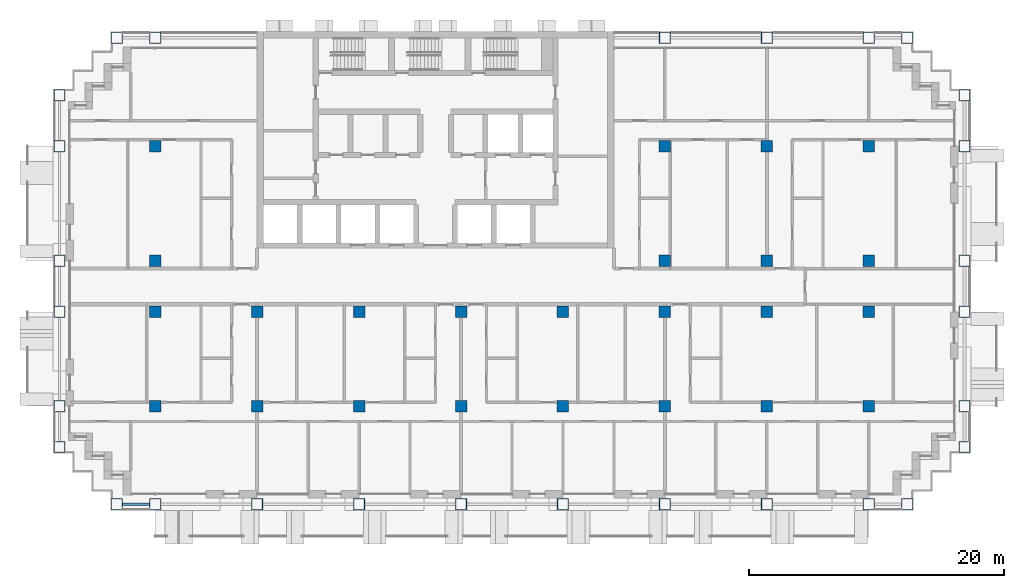
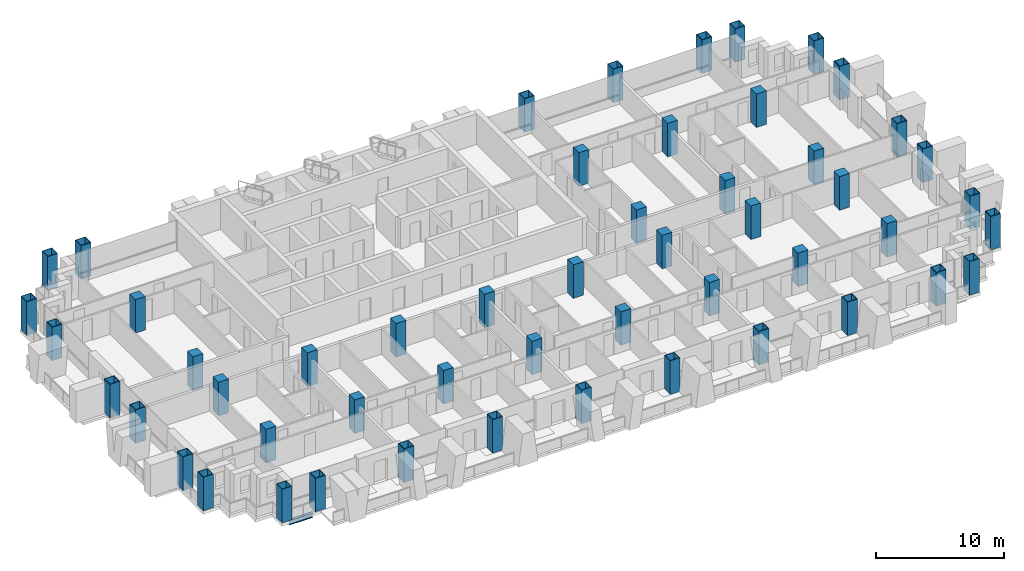
# One storey, part 1 of 18: 52 columns, 1 beam.
"""IFC4 building model written with IfcOpenShell, lengths in metres."""

from ifc_helpers import new_model, si_unit, direction, frame, origin, origin_2d, place, context, subcontext, project, spatial, rectangle, hollow_rectangle, i_section, extrude, material, material_profile, profile_set, type_object, element, save


model = new_model("IFC4")

# Units and contexts
model_context = context("Model", 3, precision=1e-05, world=origin(), true_north=direction((0.0, 1.0)))
body_context = subcontext(model_context, "Body", "Model", "MODEL_VIEW")
ifc_project = project(units=[si_unit("LENGTHUNIT", "METRE"), si_unit("AREAUNIT", "SQUARE_METRE"), si_unit("VOLUMEUNIT", "CUBIC_METRE"), si_unit("PLANEANGLEUNIT", "RADIAN"), si_unit("MASSUNIT", "GRAM", prefix="KILO")], contexts=[model_context])

# Site, building, storey
site_placement = place(None, origin())
site = spatial("IfcSite", under=ifc_project, at=site_placement, CompositionType="ELEMENT")
building_placement = place(site_placement, origin())
building = spatial("IfcBuilding", under=site, at=building_placement, Name="Vidyagriha Tower", CompositionType="ELEMENT")
storey_placement = place(building_placement, frame((0.0, 0.0, 90.300048828125)))
storey = spatial("IfcBuildingStorey", under=building, at=storey_placement, Name="L23", CompositionType="ELEMENT", Elevation=90.300048828125)

# Columns
ifc_material_1 = material(Name="Steel ASTM A572 Grade 50", Category="steel")
ifc_material_profile_1 = material_profile(ifc_material_1, hollow_rectangle(XDim=0.89990234375, YDim=0.89990234375, WallThickness=0.044921875, at=origin_2d()), Name="BOX 900x900x45")
ifc_profile_set_1 = profile_set([ifc_material_profile_1], Name="Steel ASTM A572 Grade 50")
column_type_1 = type_object("IfcColumnType", Name="Exoskeleton column BOX 900x900x45", PredefinedType="COLUMN", material=ifc_profile_set_1)
for number, where, name in (
    (1, (-25.0, -17.10009765625, 0.0), "st-col-L23-B2-001"),
    (2, (-22.0, -17.10009765625, 0.0), "st-col-L23-B2-002"),
    (3, (-14.0, -17.10009765625, 0.0), "st-col-L23-B2-003"),
    (4, (-6.0, -17.10009765625, 0.0), "st-col-L23-B2-004"),
    (5, (2.0, -17.10009765625, 0.0), "st-col-L23-B2-005"),
    (6, (10.0, -17.10009765625, 0.0), "st-col-L23-B2-006"),
    (7, (18.0, -17.10009765625, 0.0), "st-col-L23-B2-007"),
    (8, (26.0, -17.10009765625, 0.0), "st-col-L23-B2-008"),
    (9, (34.0, -17.10009765625, 0.0), "st-col-L23-B2-009"),
    (10, (37.0, -17.10009765625, 0.0), "st-col-L23-B2-010"),
    (11, (-29.5, -12.60009765625, 0.0), "st-col-L23-B2-011"),
    (12, (41.5, -12.60009765625, 0.0), "st-col-L23-B2-012"),
    (13, (-29.5, -9.39990234375, 0.0), "st-col-L23-B2-013"),
    (14, (41.5, -9.39990234375, 0.0), "st-col-L23-B2-022"),
    (15, (-29.5, -2.0, 0.0), "st-col-L23-B2-023"),
    (16, (41.5, -2.0, 0.0), "st-col-L23-B2-032"),
    (17, (-29.5, 2.0, 0.0), "st-col-L23-B2-033"),
    (18, (41.5, 2.0, 0.0), "st-col-L23-B2-038"),
    (19, (-29.5, 11.0, 0.0), "st-col-L23-B2-039"),
    (20, (41.5, 11.0, 0.0), "st-col-L23-B2-044"),
    (21, (-29.5, 15.0, 0.0), "st-col-L23-B2-045"),
    (22, (41.5, 15.0, 0.0), "st-col-L23-B2-046"),
    (23, (-25.0, 19.5, 0.0), "st-col-L23-B2-047"),
    (24, (-22.0, 19.5, 0.0), "st-col-L23-B2-048"),
    (25, (18.0, 19.5, 0.0), "st-col-L23-B2-049"),
    (26, (26.0, 19.5, 0.0), "st-col-L23-B2-050"),
    (27, (34.0, 19.5, 0.0), "st-col-L23-B2-051"),
    (28, (37.0, 19.5, 0.0), "st-col-L23-B2-052"),
):
    element("IfcColumn", number, at=place(storey_placement, frame(where)), inside=storey, type_object=column_type_1, Name=name, PredefinedType="COLUMN", context=body_context, shape_type="SweptSolid", body=[
        extrude(hollow_rectangle(XDim=0.89990234375, YDim=0.89990234375, WallThickness=0.044921875, at=origin_2d()), origin(), (0.0, 0.0, 1.0), 3.199951171875),
    ])
ifc_material_2 = material(Name="Concrete C80/95", Category="concrete")
ifc_material_profile_2 = material_profile(ifc_material_2, rectangle(XDim=0.89990234375, YDim=0.89990234375, at=origin_2d()), Name="RC 900x900")
ifc_profile_set_2 = profile_set([ifc_material_profile_2], Name="Concrete C80/95")
column_type_2 = type_object("IfcColumnType", Name="Frame column RC 900x900", PredefinedType="COLUMN", material=ifc_profile_set_2)
for number, where, name in (
    (29, (-22.0, -9.39990234375, 0.0), "st-col-L23-B2-014"),
    (30, (-14.0, -9.39990234375, 0.0), "st-col-L23-B2-015"),
    (31, (-6.0, -9.39990234375, 0.0), "st-col-L23-B2-016"),
    (32, (2.0, -9.39990234375, 0.0), "st-col-L23-B2-017"),
    (33, (10.0, -9.39990234375, 0.0), "st-col-L23-B2-018"),
    (34, (18.0, -9.39990234375, 0.0), "st-col-L23-B2-019"),
    (35, (26.0, -9.39990234375, 0.0), "st-col-L23-B2-020"),
    (36, (34.0, -9.39990234375, 0.0), "st-col-L23-B2-021"),
    (37, (-22.0, -2.0, 0.0), "st-col-L23-B2-024"),
    (38, (-14.0, -2.0, 0.0), "st-col-L23-B2-025"),
    (39, (-6.0, -2.0, 0.0), "st-col-L23-B2-026"),
    (40, (2.0, -2.0, 0.0), "st-col-L23-B2-027"),
    (41, (10.0, -2.0, 0.0), "st-col-L23-B2-028"),
    (42, (18.0, -2.0, 0.0), "st-col-L23-B2-029"),
    (43, (26.0, -2.0, 0.0), "st-col-L23-B2-030"),
    (44, (34.0, -2.0, 0.0), "st-col-L23-B2-031"),
    (45, (-22.0, 2.0, 0.0), "st-col-L23-B2-034"),
    (46, (18.0, 2.0, 0.0), "st-col-L23-B2-035"),
    (47, (26.0, 2.0, 0.0), "st-col-L23-B2-036"),
    (48, (34.0, 2.0, 0.0), "st-col-L23-B2-037"),
    (49, (-22.0, 11.0, 0.0), "st-col-L23-B2-040"),
    (50, (18.0, 11.0, 0.0), "st-col-L23-B2-041"),
    (51, (26.0, 11.0, 0.0), "st-col-L23-B2-042"),
    (52, (34.0, 11.0, 0.0), "st-col-L23-B2-043"),
):
    element("IfcColumn", number, at=place(storey_placement, frame(where)), inside=storey, type_object=column_type_2, Name=name, PredefinedType="COLUMN", context=body_context, shape_type="SweptSolid", body=[
        extrude(rectangle(XDim=0.89990234375, YDim=0.89990234375, at=origin_2d()), origin(), (0.0, 0.0, 1.0), 3.199951171875),
    ])

# Beam
ifc_material_3 = material(Name="Steel ASTM A992 Grade 50", Category="steel")
ifc_material_profile_3 = material_profile(ifc_material_3, i_section(OverallWidth=0.19189453125, OverallDepth=0.46240234375, WebThickness=0.010498046875, FlangeThickness=0.017578125, at=origin_2d()), Name="W18X60")
ifc_profile_set_3 = profile_set([ifc_material_profile_3], Name="Steel ASTM A992 Grade 50")
beam_type = type_object("IfcBeamType", Name="Edge beam W18X60", PredefinedType="SPANDREL", material=ifc_profile_set_3)
beam_placement = place(storey_placement, frame((-24.550048828125, -17.10009765625, -0.51123046875), z_axis=(1.0, 0.0, 0.0), x_axis=(0.0, 1.0, 0.0)))
element("IfcBeam", 53, at=beam_placement, inside=storey, type_object=beam_type, Name="st-beam-L23-S01", PredefinedType="SPANDREL", context=body_context, shape_type="SweptSolid", body=[
    extrude(i_section(OverallWidth=0.19189453125, OverallDepth=0.46240234375, WebThickness=0.010498046875, FlangeThickness=0.017578125, at=origin_2d()), origin(), (0.0, 0.0, 1.0), 2.10009765625),
])

save(model, "model.ifc")
